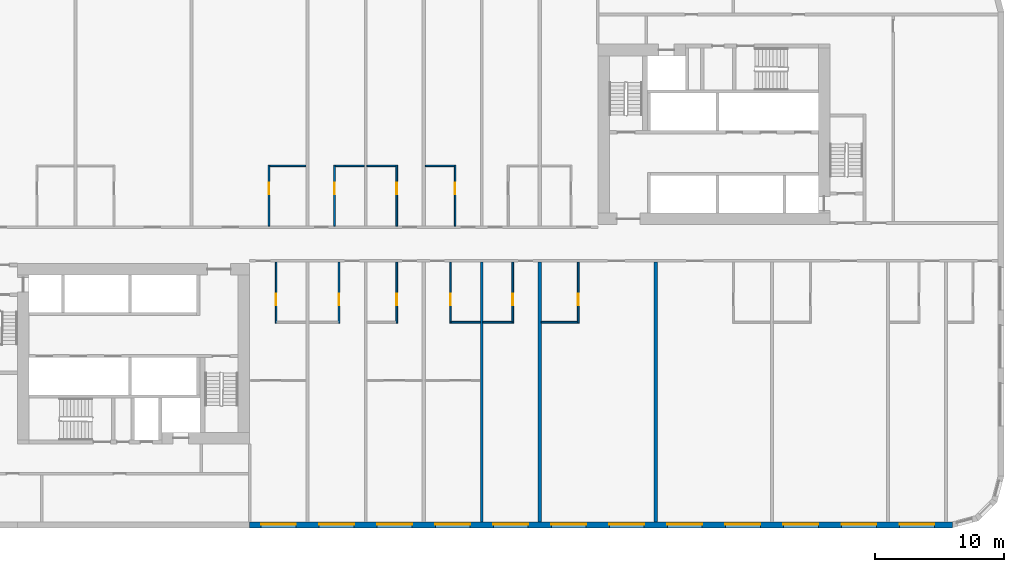
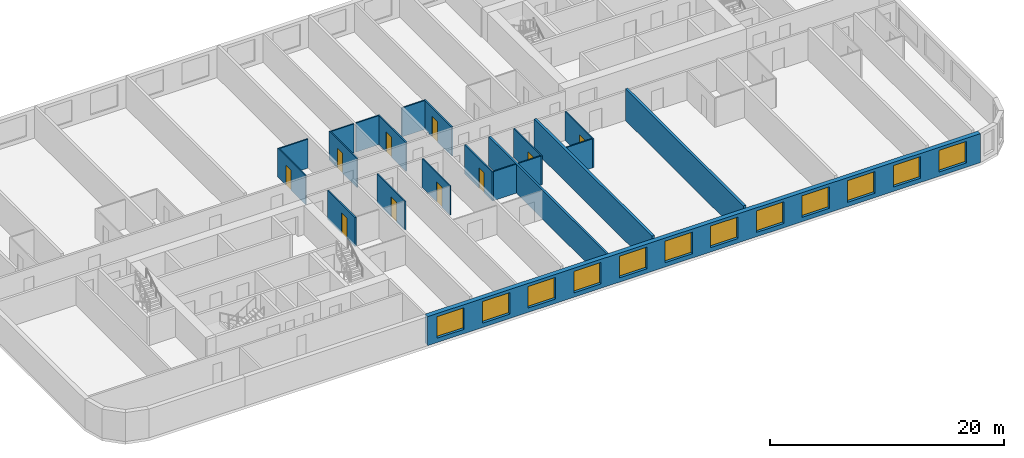
# One storey, part 4 of 12: 21 walls, 12 windows, 10 doors, 22 openings.
"""IFC4 building model written with IfcOpenShell, lengths in metres."""

from ifc_helpers import new_model, si_unit, direction, frame, frame_2d, origin, place, context, subcontext, project, spatial, rectangle, extrude, material, layer, layer_set, type_object, element, fill, save


model = new_model("IFC4")

# Units and contexts
model_context = context("Model", 3, precision=1e-05, world=origin(), true_north=direction((0.0, 1.0)))
body_context = subcontext(model_context, "Body", "Model", "MODEL_VIEW")
ifc_project = project(units=[si_unit("LENGTHUNIT", "METRE"), si_unit("AREAUNIT", "SQUARE_METRE"), si_unit("VOLUMEUNIT", "CUBIC_METRE"), si_unit("PLANEANGLEUNIT", "RADIAN"), si_unit("MASSUNIT", "GRAM", prefix="KILO")], contexts=[model_context])

# Site, building, storey
site_placement = place(None, origin())
site = spatial("IfcSite", under=ifc_project, at=site_placement, CompositionType="ELEMENT")
building_placement = place(site_placement, origin())
building = spatial("IfcBuilding", under=site, at=building_placement, Name="Kajstack Hotel Tower", CompositionType="ELEMENT")
storey_placement = place(building_placement, frame((0.0, 0.0, 93.0)))
storey = spatial("IfcBuildingStorey", under=building, at=storey_placement, Name="L19", CompositionType="ELEMENT", Elevation=93.0)

# Wall
ifc_material_1 = material(Name="Twin-frame gypsum board on steel studs, mineral wool", Category="steel")
ifc_layer_1 = layer(ifc_material_1, 0.199951171875)
ifc_layer_set_1 = layer_set([ifc_layer_1], Name="Demising wall 200")
wall_type_1 = type_object("IfcWallType", Name="Demising wall 200", PredefinedType="PARTITIONING", material=ifc_layer_set_1)
wall_1_placement = place(storey_placement, frame((4.5, -21.550048828125, 0.0), z_axis=(0.0, 0.0, 1.0), x_axis=(0.0, 1.0, 0.0)))
element("IfcWall", 1, at=wall_1_placement, inside=storey, type_object=wall_type_1, Name="G-wall-L19-036", PredefinedType="PARTITIONING", context=body_context, shape_type="SweptSolid", body=[
    extrude(rectangle(XDim=20.150146484375, YDim=0.199951171875, at=frame_2d((10.0751953125, 0.0))), origin(), (0.0, 0.0, 1.0), 3.02001953125),
])

# Wall, openings, windows
ifc_material_2 = material(Name="Terracotta-faced brick masonry", Category="masonry")
ifc_layer_2 = layer(ifc_material_2, 0.449951171875)
ifc_layer_set_2 = layer_set([ifc_layer_2], Name="EW-TERRA")
wall_type_2 = type_object("IfcWallType", Name="EW-TERRA", PredefinedType="SOLIDWALL", material=ifc_layer_set_2)
wall_2_placement = place(storey_placement, frame((-13.5, -21.77490234375, 0.0), z_axis=(0.0, 0.0, 1.0), x_axis=(1.0, 0.0, 0.0)))
wall_2 = element("IfcWall", 2, at=wall_2_placement, inside=storey, type_object=wall_type_2, Name="E-wall-L19-03-02", PredefinedType="SOLIDWALL", context=body_context, shape_type="SweptSolid", body=[
    extrude(rectangle(XDim=54.5, YDim=0.449951171875, at=frame_2d((27.25, 0.0))), origin(), (0.0, 0.0, 1.0), 3.02001953125),
])
opening_1_placement = place(wall_2_placement, frame((0.89990234375, 0.0, 0.449951171875)))
opening_1 = element("IfcOpeningElement", 3, at=opening_1_placement, cuts=wall_2, Name="Opening W1", PredefinedType="OPENING", context=body_context, shape_type="SweptSolid", body=[
    extrude(rectangle(XDim=2.699951171875, YDim=2.25, at=frame_2d((1.35009765625, 1.125))), frame((0.0, 0.23486328125, 0.0), z_axis=(0.0, -1.0, 0.0), x_axis=(1.0, 0.0, 0.0)), (0.0, 0.0, 1.0), 0.469970703125),
])
opening_2_placement = place(wall_2_placement, frame((5.39990234375, 0.0, 0.449951171875)))
opening_2 = element("IfcOpeningElement", 4, at=opening_2_placement, cuts=wall_2, Name="Opening W1", PredefinedType="OPENING", context=body_context, shape_type="SweptSolid", body=[
    extrude(rectangle(XDim=2.699951171875, YDim=2.25, at=frame_2d((1.35009765625, 1.125))), frame((0.0, 0.23486328125, 0.0), z_axis=(0.0, -1.0, 0.0), x_axis=(1.0, 0.0, 0.0)), (0.0, 0.0, 1.0), 0.469970703125),
])
opening_3_placement = place(wall_2_placement, frame((9.89990234375, 0.0, 0.449951171875)))
opening_3 = element("IfcOpeningElement", 5, at=opening_3_placement, cuts=wall_2, Name="Opening W1", PredefinedType="OPENING", context=body_context, shape_type="SweptSolid", body=[
    extrude(rectangle(XDim=2.699951171875, YDim=2.25, at=frame_2d((1.35009765625, 1.125))), frame((0.0, 0.23486328125, 0.0), z_axis=(0.0, -1.0, 0.0), x_axis=(1.0, 0.0, 0.0)), (0.0, 0.0, 1.0), 0.469970703125),
])
opening_4_placement = place(wall_2_placement, frame((14.39990234375, 0.0, 0.449951171875)))
opening_4 = element("IfcOpeningElement", 6, at=opening_4_placement, cuts=wall_2, Name="Opening W1", PredefinedType="OPENING", context=body_context, shape_type="SweptSolid", body=[
    extrude(rectangle(XDim=2.699951171875, YDim=2.25, at=frame_2d((1.35009765625, 1.125))), frame((0.0, 0.23486328125, 0.0), z_axis=(0.0, -1.0, 0.0), x_axis=(1.0, 0.0, 0.0)), (0.0, 0.0, 1.0), 0.469970703125),
])
opening_5_placement = place(wall_2_placement, frame((18.89990234375, 0.0, 0.449951171875)))
opening_5 = element("IfcOpeningElement", 7, at=opening_5_placement, cuts=wall_2, Name="Opening W1", PredefinedType="OPENING", context=body_context, shape_type="SweptSolid", body=[
    extrude(rectangle(XDim=2.699951171875, YDim=2.25, at=frame_2d((1.35009765625, 1.125))), frame((0.0, 0.23486328125, 0.0), z_axis=(0.0, -1.0, 0.0), x_axis=(1.0, 0.0, 0.0)), (0.0, 0.0, 1.0), 0.469970703125),
])
opening_6_placement = place(wall_2_placement, frame((23.39990234375, 0.0, 0.449951171875)))
opening_6 = element("IfcOpeningElement", 8, at=opening_6_placement, cuts=wall_2, Name="Opening W1", PredefinedType="OPENING", context=body_context, shape_type="SweptSolid", body=[
    extrude(rectangle(XDim=2.699951171875, YDim=2.25, at=frame_2d((1.35009765625, 1.125))), frame((0.0, 0.23486328125, 0.0), z_axis=(0.0, -1.0, 0.0), x_axis=(1.0, 0.0, 0.0)), (0.0, 0.0, 1.0), 0.469970703125),
])
opening_7_placement = place(wall_2_placement, frame((27.89990234375, 0.0, 0.449951171875)))
opening_7 = element("IfcOpeningElement", 9, at=opening_7_placement, cuts=wall_2, Name="Opening W1", PredefinedType="OPENING", context=body_context, shape_type="SweptSolid", body=[
    extrude(rectangle(XDim=2.699951171875, YDim=2.25, at=frame_2d((1.35009765625, 1.125))), frame((0.0, 0.23486328125, 0.0), z_axis=(0.0, -1.0, 0.0), x_axis=(1.0, 0.0, 0.0)), (0.0, 0.0, 1.0), 0.469970703125),
])
opening_8_placement = place(wall_2_placement, frame((32.39990234375, 0.0, 0.449951171875)))
opening_8 = element("IfcOpeningElement", 10, at=opening_8_placement, cuts=wall_2, Name="Opening W1", PredefinedType="OPENING", context=body_context, shape_type="SweptSolid", body=[
    extrude(rectangle(XDim=2.699951171875, YDim=2.25, at=frame_2d((1.35009765625, 1.125))), frame((0.0, 0.23486328125, 0.0), z_axis=(0.0, -1.0, 0.0), x_axis=(1.0, 0.0, 0.0)), (0.0, 0.0, 1.0), 0.469970703125),
])
opening_9_placement = place(wall_2_placement, frame((36.89990234375, 0.0, 0.449951171875)))
opening_9 = element("IfcOpeningElement", 11, at=opening_9_placement, cuts=wall_2, Name="Opening W1", PredefinedType="OPENING", context=body_context, shape_type="SweptSolid", body=[
    extrude(rectangle(XDim=2.699951171875, YDim=2.25, at=frame_2d((1.35009765625, 1.125))), frame((0.0, 0.23486328125, 0.0), z_axis=(0.0, -1.0, 0.0), x_axis=(1.0, 0.0, 0.0)), (0.0, 0.0, 1.0), 0.469970703125),
])
opening_10_placement = place(wall_2_placement, frame((41.39990234375, 0.0, 0.449951171875)))
opening_10 = element("IfcOpeningElement", 12, at=opening_10_placement, cuts=wall_2, Name="Opening W1", PredefinedType="OPENING", context=body_context, shape_type="SweptSolid", body=[
    extrude(rectangle(XDim=2.699951171875, YDim=2.25, at=frame_2d((1.35009765625, 1.125))), frame((0.0, 0.23486328125, 0.0), z_axis=(0.0, -1.0, 0.0), x_axis=(1.0, 0.0, 0.0)), (0.0, 0.0, 1.0), 0.469970703125),
])
opening_11_placement = place(wall_2_placement, frame((45.89990234375, 0.0, 0.449951171875)))
opening_11 = element("IfcOpeningElement", 13, at=opening_11_placement, cuts=wall_2, Name="Opening W1", PredefinedType="OPENING", context=body_context, shape_type="SweptSolid", body=[
    extrude(rectangle(XDim=2.699951171875, YDim=2.25, at=frame_2d((1.35009765625, 1.125))), frame((0.0, 0.23486328125, 0.0), z_axis=(0.0, -1.0, 0.0), x_axis=(1.0, 0.0, 0.0)), (0.0, 0.0, 1.0), 0.469970703125),
])
opening_12_placement = place(wall_2_placement, frame((50.39990234375, 0.0, 0.449951171875)))
opening_12 = element("IfcOpeningElement", 14, at=opening_12_placement, cuts=wall_2, Name="Opening W1", PredefinedType="OPENING", context=body_context, shape_type="SweptSolid", body=[
    extrude(rectangle(XDim=2.699951171875, YDim=2.25, at=frame_2d((1.35009765625, 1.125))), frame((0.0, 0.23486328125, 0.0), z_axis=(0.0, -1.0, 0.0), x_axis=(1.0, 0.0, 0.0)), (0.0, 0.0, 1.0), 0.469970703125),
])
ifc_material_3 = material(Name="Timber-aluminium window, triple glazed", Category="wood")
window_type = type_object("IfcWindowType", Name="WG1", PartitioningType="SINGLE_PANEL", PredefinedType="WINDOW", material=ifc_material_3)
window_1_placement = place(opening_1_placement, origin())
window_1 = element("IfcWindow", 15, at=window_1_placement, inside=storey, type_object=window_type, Name="Window W1 L19-03", OverallHeight=2.25, OverallWidth=2.699951171875, PartitioningType="SINGLE_PANEL", PredefinedType="WINDOW", context=body_context, shape_type="SweptSolid", body=[
    extrude(rectangle(XDim=2.699951171875, YDim=2.25, at=frame_2d((1.35009765625, 1.125))), frame((0.0, 0.090087890625, 0.0), z_axis=(0.0, -1.0, 0.0), x_axis=(1.0, 0.0, 0.0)), (0.0, 0.0, 1.0), 0.06005859375),
])
fill(opening_1, window_1)
window_2_placement = place(opening_2_placement, origin())
window_2 = element("IfcWindow", 16, at=window_2_placement, inside=storey, type_object=window_type, Name="Window W1 L19-03", OverallHeight=2.25, OverallWidth=2.699951171875, PartitioningType="SINGLE_PANEL", PredefinedType="WINDOW", context=body_context, shape_type="SweptSolid", body=[
    extrude(rectangle(XDim=2.699951171875, YDim=2.25, at=frame_2d((1.35009765625, 1.125))), frame((0.0, 0.090087890625, 0.0), z_axis=(0.0, -1.0, 0.0), x_axis=(1.0, 0.0, 0.0)), (0.0, 0.0, 1.0), 0.06005859375),
])
fill(opening_2, window_2)
window_3_placement = place(opening_3_placement, origin())
window_3 = element("IfcWindow", 17, at=window_3_placement, inside=storey, type_object=window_type, Name="Window W1 L19-03", OverallHeight=2.25, OverallWidth=2.699951171875, PartitioningType="SINGLE_PANEL", PredefinedType="WINDOW", context=body_context, shape_type="SweptSolid", body=[
    extrude(rectangle(XDim=2.699951171875, YDim=2.25, at=frame_2d((1.35009765625, 1.125))), frame((0.0, 0.090087890625, 0.0), z_axis=(0.0, -1.0, 0.0), x_axis=(1.0, 0.0, 0.0)), (0.0, 0.0, 1.0), 0.06005859375),
])
fill(opening_3, window_3)
window_4_placement = place(opening_4_placement, origin())
window_4 = element("IfcWindow", 18, at=window_4_placement, inside=storey, type_object=window_type, Name="Window W1 L19-03", OverallHeight=2.25, OverallWidth=2.699951171875, PartitioningType="SINGLE_PANEL", PredefinedType="WINDOW", context=body_context, shape_type="SweptSolid", body=[
    extrude(rectangle(XDim=2.699951171875, YDim=2.25, at=frame_2d((1.35009765625, 1.125))), frame((0.0, 0.090087890625, 0.0), z_axis=(0.0, -1.0, 0.0), x_axis=(1.0, 0.0, 0.0)), (0.0, 0.0, 1.0), 0.06005859375),
])
fill(opening_4, window_4)
window_5_placement = place(opening_5_placement, origin())
window_5 = element("IfcWindow", 19, at=window_5_placement, inside=storey, type_object=window_type, Name="Window W1 L19-03", OverallHeight=2.25, OverallWidth=2.699951171875, PartitioningType="SINGLE_PANEL", PredefinedType="WINDOW", context=body_context, shape_type="SweptSolid", body=[
    extrude(rectangle(XDim=2.699951171875, YDim=2.25, at=frame_2d((1.35009765625, 1.125))), frame((0.0, 0.090087890625, 0.0), z_axis=(0.0, -1.0, 0.0), x_axis=(1.0, 0.0, 0.0)), (0.0, 0.0, 1.0), 0.06005859375),
])
fill(opening_5, window_5)
window_6_placement = place(opening_6_placement, origin())
window_6 = element("IfcWindow", 20, at=window_6_placement, inside=storey, type_object=window_type, Name="Window W1 L19-03", OverallHeight=2.25, OverallWidth=2.699951171875, PartitioningType="SINGLE_PANEL", PredefinedType="WINDOW", context=body_context, shape_type="SweptSolid", body=[
    extrude(rectangle(XDim=2.699951171875, YDim=2.25, at=frame_2d((1.35009765625, 1.125))), frame((0.0, 0.090087890625, 0.0), z_axis=(0.0, -1.0, 0.0), x_axis=(1.0, 0.0, 0.0)), (0.0, 0.0, 1.0), 0.06005859375),
])
fill(opening_6, window_6)
window_7_placement = place(opening_7_placement, origin())
window_7 = element("IfcWindow", 21, at=window_7_placement, inside=storey, type_object=window_type, Name="Window W1 L19-03", OverallHeight=2.25, OverallWidth=2.699951171875, PartitioningType="SINGLE_PANEL", PredefinedType="WINDOW", context=body_context, shape_type="SweptSolid", body=[
    extrude(rectangle(XDim=2.699951171875, YDim=2.25, at=frame_2d((1.35009765625, 1.125))), frame((0.0, 0.090087890625, 0.0), z_axis=(0.0, -1.0, 0.0), x_axis=(1.0, 0.0, 0.0)), (0.0, 0.0, 1.0), 0.06005859375),
])
fill(opening_7, window_7)
window_8_placement = place(opening_8_placement, origin())
window_8 = element("IfcWindow", 22, at=window_8_placement, inside=storey, type_object=window_type, Name="Window W1 L19-03", OverallHeight=2.25, OverallWidth=2.699951171875, PartitioningType="SINGLE_PANEL", PredefinedType="WINDOW", context=body_context, shape_type="SweptSolid", body=[
    extrude(rectangle(XDim=2.699951171875, YDim=2.25, at=frame_2d((1.35009765625, 1.125))), frame((0.0, 0.090087890625, 0.0), z_axis=(0.0, -1.0, 0.0), x_axis=(1.0, 0.0, 0.0)), (0.0, 0.0, 1.0), 0.06005859375),
])
fill(opening_8, window_8)
window_9_placement = place(opening_9_placement, origin())
window_9 = element("IfcWindow", 23, at=window_9_placement, inside=storey, type_object=window_type, Name="Window W1 L19-03", OverallHeight=2.25, OverallWidth=2.699951171875, PartitioningType="SINGLE_PANEL", PredefinedType="WINDOW", context=body_context, shape_type="SweptSolid", body=[
    extrude(rectangle(XDim=2.699951171875, YDim=2.25, at=frame_2d((1.35009765625, 1.125))), frame((0.0, 0.090087890625, 0.0), z_axis=(0.0, -1.0, 0.0), x_axis=(1.0, 0.0, 0.0)), (0.0, 0.0, 1.0), 0.06005859375),
])
fill(opening_9, window_9)
window_10_placement = place(opening_10_placement, origin())
window_10 = element("IfcWindow", 24, at=window_10_placement, inside=storey, type_object=window_type, Name="Window W1 L19-03", OverallHeight=2.25, OverallWidth=2.699951171875, PartitioningType="SINGLE_PANEL", PredefinedType="WINDOW", context=body_context, shape_type="SweptSolid", body=[
    extrude(rectangle(XDim=2.699951171875, YDim=2.25, at=frame_2d((1.35009765625, 1.125))), frame((0.0, 0.090087890625, 0.0), z_axis=(0.0, -1.0, 0.0), x_axis=(1.0, 0.0, 0.0)), (0.0, 0.0, 1.0), 0.06005859375),
])
fill(opening_10, window_10)
window_11_placement = place(opening_11_placement, origin())
window_11 = element("IfcWindow", 25, at=window_11_placement, inside=storey, type_object=window_type, Name="Window W1 L19-03", OverallHeight=2.25, OverallWidth=2.699951171875, PartitioningType="SINGLE_PANEL", PredefinedType="WINDOW", context=body_context, shape_type="SweptSolid", body=[
    extrude(rectangle(XDim=2.699951171875, YDim=2.25, at=frame_2d((1.35009765625, 1.125))), frame((0.0, 0.090087890625, 0.0), z_axis=(0.0, -1.0, 0.0), x_axis=(1.0, 0.0, 0.0)), (0.0, 0.0, 1.0), 0.06005859375),
])
fill(opening_11, window_11)
window_12_placement = place(opening_12_placement, origin())
window_12 = element("IfcWindow", 26, at=window_12_placement, inside=storey, type_object=window_type, Name="Window W1 L19-03", OverallHeight=2.25, OverallWidth=2.699951171875, PartitioningType="SINGLE_PANEL", PredefinedType="WINDOW", context=body_context, shape_type="SweptSolid", body=[
    extrude(rectangle(XDim=2.699951171875, YDim=2.25, at=frame_2d((1.35009765625, 1.125))), frame((0.0, 0.090087890625, 0.0), z_axis=(0.0, -1.0, 0.0), x_axis=(1.0, 0.0, 0.0)), (0.0, 0.0, 1.0), 0.06005859375),
])
fill(opening_12, window_12)

# Wall, opening, door
ifc_material_4 = material(Name="Gypsum board and tiled backer on steel studs", Category="steel")
ifc_layer_3 = layer(ifc_material_4, 0.125)
ifc_layer_set_3 = layer_set([ifc_layer_3], Name="En-suite wall 125")
wall_type_3 = type_object("IfcWallType", Name="En-suite wall 125", PredefinedType="PARTITIONING", material=ifc_layer_set_3)
wall_3_placement = place(storey_placement, frame((-11.988037109375, 1.39990234375, 0.0), z_axis=(0.0, 0.0, 1.0), x_axis=(0.0, 1.0, 0.0)))
wall_3 = element("IfcWall", 27, at=wall_3_placement, inside=storey, type_object=wall_type_3, Name="G-wall-L19-012", PredefinedType="PARTITIONING", context=body_context, shape_type="SweptSolid", body=[
    extrude(rectangle(XDim=4.72509765625, YDim=0.125, at=frame_2d((2.362548828125, 0.0))), origin(), (0.0, 0.0, 1.0), 3.02001953125),
])
opening_13_placement = place(wall_3_placement, frame((2.449951171875, 0.0, 0.0)))
opening_13 = element("IfcOpeningElement", 28, at=opening_13_placement, cuts=wall_3, Name="Opening 19010", PredefinedType="OPENING", context=body_context, shape_type="SweptSolid", body=[
    extrude(rectangle(XDim=0.89990234375, YDim=2.10009765625, at=frame_2d((0.449951171875, 1.050048828125))), frame((0.0, 0.072509765625, 0.0), z_axis=(0.0, -1.0, 0.0), x_axis=(1.0, 0.0, 0.0)), (0.0, 0.0, 1.0), 0.14501953125),
])
ifc_material_5 = material(Name="Painted timber door leaf", Category="wood")
door_type = type_object("IfcDoorType", Name="Room door 900", OperationType="SINGLE_SWING_LEFT", PredefinedType="DOOR", material=ifc_material_5)
door_1_placement = place(opening_13_placement, origin())
door_1 = element("IfcDoor", 29, at=door_1_placement, inside=storey, type_object=door_type, Name="G-door-L19-10", OperationType="SINGLE_SWING_LEFT", OverallHeight=2.10009765625, OverallWidth=0.89990234375, PredefinedType="DOOR", context=body_context, shape_type="SweptSolid", body=[
    extrude(rectangle(XDim=0.89990234375, YDim=2.10009765625, at=frame_2d((0.449951171875, 1.050048828125))), frame((0.0, 0.02490234375, 0.0), z_axis=(0.0, -1.0, 0.0), x_axis=(1.0, 0.0, 0.0)), (0.0, 0.0, 1.0), 0.050048828125),
])
fill(opening_13, door_1)

# Wall
wall_4_placement = place(storey_placement, frame((-11.925048828125, 6.06201171875, 0.0), z_axis=(0.0, 0.0, 1.0), x_axis=(1.0, 0.0, 0.0)))
element("IfcWall", 30, at=wall_4_placement, inside=storey, type_object=wall_type_3, Name="G-wall-L19-013", PredefinedType="PARTITIONING", context=body_context, shape_type="SweptSolid", body=[
    extrude(rectangle(XDim=2.800048828125, YDim=0.125, at=frame_2d((1.39990234375, 0.0))), origin(), (0.0, 0.0, 1.0), 3.02001953125),
])

# Wall, opening, door
wall_5_placement = place(storey_placement, frame((-6.912109375, 1.39990234375, 0.0), z_axis=(0.0, 0.0, 1.0), x_axis=(0.0, 1.0, 0.0)))
wall_5 = element("IfcWall", 31, at=wall_5_placement, inside=storey, type_object=wall_type_3, Name="G-wall-L19-015", PredefinedType="PARTITIONING", context=body_context, shape_type="SweptSolid", body=[
    extrude(rectangle(XDim=4.72509765625, YDim=0.125, at=frame_2d((2.362548828125, 0.0))), origin(), (0.0, 0.0, 1.0), 3.02001953125),
])
opening_14_placement = place(wall_5_placement, frame((2.449951171875, 0.0, 0.0)))
opening_14 = element("IfcOpeningElement", 32, at=opening_14_placement, cuts=wall_5, Name="Opening 19012", PredefinedType="OPENING", context=body_context, shape_type="SweptSolid", body=[
    extrude(rectangle(XDim=0.89990234375, YDim=2.10009765625, at=frame_2d((0.449951171875, 1.050048828125))), frame((0.0, 0.072509765625, 0.0), z_axis=(0.0, -1.0, 0.0), x_axis=(1.0, 0.0, 0.0)), (0.0, 0.0, 1.0), 0.14501953125),
])
door_2_placement = place(opening_14_placement, origin())
door_2 = element("IfcDoor", 33, at=door_2_placement, inside=storey, type_object=door_type, Name="G-door-L19-12", OperationType="SINGLE_SWING_LEFT", OverallHeight=2.10009765625, OverallWidth=0.89990234375, PredefinedType="DOOR", context=body_context, shape_type="SweptSolid", body=[
    extrude(rectangle(XDim=0.89990234375, YDim=2.10009765625, at=frame_2d((0.449951171875, 1.050048828125))), frame((0.0, 0.02490234375, 0.0), z_axis=(0.0, -1.0, 0.0), x_axis=(1.0, 0.0, 0.0)), (0.0, 0.0, 1.0), 0.050048828125),
])
fill(opening_14, door_2)

# Wall
wall_6_placement = place(storey_placement, frame((-6.85009765625, 6.06201171875, 0.0), z_axis=(0.0, 0.0, 1.0), x_axis=(1.0, 0.0, 0.0)))
element("IfcWall", 34, at=wall_6_placement, inside=storey, type_object=wall_type_3, Name="G-wall-L19-016", PredefinedType="PARTITIONING", context=body_context, shape_type="SweptSolid", body=[
    extrude(rectangle(XDim=2.25, YDim=0.125, at=frame_2d((1.125, 0.0))), origin(), (0.0, 0.0, 1.0), 3.02001953125),
])

# Wall, opening, door
wall_7_placement = place(storey_placement, frame((-2.0869140625, 1.39990234375, 0.0), z_axis=(0.0, 0.0, 1.0), x_axis=(0.0, 1.0, 0.0)))
wall_7 = element("IfcWall", 35, at=wall_7_placement, inside=storey, type_object=wall_type_3, Name="G-wall-L19-017", PredefinedType="PARTITIONING", context=body_context, shape_type="SweptSolid", body=[
    extrude(rectangle(XDim=4.72509765625, YDim=0.125, at=frame_2d((2.362548828125, 0.0))), origin(), (0.0, 0.0, 1.0), 3.02001953125),
])
opening_15_placement = place(wall_7_placement, frame((2.449951171875, 0.0, 0.0)))
opening_15 = element("IfcOpeningElement", 36, at=opening_15_placement, cuts=wall_7, Name="Opening 19014", PredefinedType="OPENING", context=body_context, shape_type="SweptSolid", body=[
    extrude(rectangle(XDim=0.89990234375, YDim=2.10009765625, at=frame_2d((0.449951171875, 1.050048828125))), frame((0.0, 0.072509765625, 0.0), z_axis=(0.0, -1.0, 0.0), x_axis=(1.0, 0.0, 0.0)), (0.0, 0.0, 1.0), 0.14501953125),
])
door_3_placement = place(opening_15_placement, origin())
door_3 = element("IfcDoor", 37, at=door_3_placement, inside=storey, type_object=door_type, Name="G-door-L19-14", OperationType="SINGLE_SWING_RIGHT", OverallHeight=2.10009765625, OverallWidth=0.89990234375, PredefinedType="DOOR", context=body_context, shape_type="SweptSolid", body=[
    extrude(rectangle(XDim=0.89990234375, YDim=2.10009765625, at=frame_2d((0.449951171875, 1.050048828125))), frame((0.0, 0.02490234375, 0.0), z_axis=(0.0, -1.0, 0.0), x_axis=(1.0, 0.0, 0.0)), (0.0, 0.0, 1.0), 0.050048828125),
])
fill(opening_15, door_3)

# Wall
wall_8_placement = place(storey_placement, frame((-4.39990234375, 6.06201171875, 0.0), z_axis=(0.0, 0.0, 1.0), x_axis=(1.0, 0.0, 0.0)))
element("IfcWall", 38, at=wall_8_placement, inside=storey, type_object=wall_type_3, Name="G-wall-L19-018", PredefinedType="PARTITIONING", context=body_context, shape_type="SweptSolid", body=[
    extrude(rectangle(XDim=2.25, YDim=0.125, at=frame_2d((1.125, 0.0))), origin(), (0.0, 0.0, 1.0), 3.02001953125),
])

# Wall, opening, door
wall_9_placement = place(storey_placement, frame((2.43798828125, 1.39990234375, 0.0), z_axis=(0.0, 0.0, 1.0), x_axis=(0.0, 1.0, 0.0)))
wall_9 = element("IfcWall", 39, at=wall_9_placement, inside=storey, type_object=wall_type_3, Name="G-wall-L19-020", PredefinedType="PARTITIONING", context=body_context, shape_type="SweptSolid", body=[
    extrude(rectangle(XDim=4.72509765625, YDim=0.125, at=frame_2d((2.362548828125, 0.0))), origin(), (0.0, 0.0, 1.0), 3.02001953125),
])
opening_16_placement = place(wall_9_placement, frame((2.449951171875, 0.0, 0.0)))
opening_16 = element("IfcOpeningElement", 40, at=opening_16_placement, cuts=wall_9, Name="Opening 19016", PredefinedType="OPENING", context=body_context, shape_type="SweptSolid", body=[
    extrude(rectangle(XDim=0.89990234375, YDim=2.10009765625, at=frame_2d((0.449951171875, 1.050048828125))), frame((0.0, 0.072509765625, 0.0), z_axis=(0.0, -1.0, 0.0), x_axis=(1.0, 0.0, 0.0)), (0.0, 0.0, 1.0), 0.14501953125),
])
door_4_placement = place(opening_16_placement, origin())
door_4 = element("IfcDoor", 41, at=door_4_placement, inside=storey, type_object=door_type, Name="G-door-L19-16", OperationType="SINGLE_SWING_LEFT", OverallHeight=2.10009765625, OverallWidth=0.89990234375, PredefinedType="DOOR", context=body_context, shape_type="SweptSolid", body=[
    extrude(rectangle(XDim=0.89990234375, YDim=2.10009765625, at=frame_2d((0.449951171875, 1.050048828125))), frame((0.0, 0.02490234375, 0.0), z_axis=(0.0, -1.0, 0.0), x_axis=(1.0, 0.0, 0.0)), (0.0, 0.0, 1.0), 0.050048828125),
])
fill(opening_16, door_4)

# Wall
wall_10_placement = place(storey_placement, frame((0.125, 6.06201171875, 0.0), z_axis=(0.0, 0.0, 1.0), x_axis=(1.0, 0.0, 0.0)))
element("IfcWall", 42, at=wall_10_placement, inside=storey, type_object=wall_type_3, Name="G-wall-L19-021", PredefinedType="PARTITIONING", context=body_context, shape_type="SweptSolid", body=[
    extrude(rectangle(XDim=2.25, YDim=0.125, at=frame_2d((1.125, 0.0))), origin(), (0.0, 0.0, 1.0), 3.02001953125),
])

# Wall, opening, door
wall_11_placement = place(storey_placement, frame((-11.43798828125, -6.125, 0.0), z_axis=(0.0, 0.0, 1.0), x_axis=(0.0, 1.0, 0.0)))
wall_11 = element("IfcWall", 43, at=wall_11_placement, inside=storey, type_object=wall_type_3, Name="G-wall-L19-027", PredefinedType="PARTITIONING", context=body_context, shape_type="SweptSolid", body=[
    extrude(rectangle(XDim=4.72509765625, YDim=0.125, at=frame_2d((2.362548828125, 0.0))), origin(), (0.0, 0.0, 1.0), 3.02001953125),
])
opening_17_placement = place(wall_11_placement, frame((1.375, 0.0, 0.0)))
opening_17 = element("IfcOpeningElement", 44, at=opening_17_placement, cuts=wall_11, Name="Opening 19022", PredefinedType="OPENING", context=body_context, shape_type="SweptSolid", body=[
    extrude(rectangle(XDim=0.89990234375, YDim=2.10009765625, at=frame_2d((0.449951171875, 1.050048828125))), frame((0.0, 0.072509765625, 0.0), z_axis=(0.0, -1.0, 0.0), x_axis=(1.0, 0.0, 0.0)), (0.0, 0.0, 1.0), 0.14501953125),
])
door_5_placement = place(opening_17_placement, origin())
door_5 = element("IfcDoor", 45, at=door_5_placement, inside=storey, type_object=door_type, Name="G-door-L19-22", OperationType="SINGLE_SWING_RIGHT", OverallHeight=2.10009765625, OverallWidth=0.89990234375, PredefinedType="DOOR", context=body_context, shape_type="SweptSolid", body=[
    extrude(rectangle(XDim=0.89990234375, YDim=2.10009765625, at=frame_2d((0.449951171875, 1.050048828125))), frame((0.0, 0.02490234375, 0.0), z_axis=(0.0, -1.0, 0.0), x_axis=(1.0, 0.0, 0.0)), (0.0, 0.0, 1.0), 0.050048828125),
])
fill(opening_17, door_5)

wall_12_placement = place(storey_placement, frame((-6.56201171875, -6.125, 0.0), z_axis=(0.0, 0.0, 1.0), x_axis=(0.0, 1.0, 0.0)))
wall_12 = element("IfcWall", 46, at=wall_12_placement, inside=storey, type_object=wall_type_3, Name="G-wall-L19-031", PredefinedType="PARTITIONING", context=body_context, shape_type="SweptSolid", body=[
    extrude(rectangle(XDim=4.72509765625, YDim=0.125, at=frame_2d((2.362548828125, 0.0))), origin(), (0.0, 0.0, 1.0), 3.02001953125),
])
opening_18_placement = place(wall_12_placement, frame((1.375, 0.0, 0.0)))
opening_18 = element("IfcOpeningElement", 47, at=opening_18_placement, cuts=wall_12, Name="Opening 19025", PredefinedType="OPENING", context=body_context, shape_type="SweptSolid", body=[
    extrude(rectangle(XDim=0.89990234375, YDim=2.10009765625, at=frame_2d((0.449951171875, 1.050048828125))), frame((0.0, 0.072509765625, 0.0), z_axis=(0.0, -1.0, 0.0), x_axis=(1.0, 0.0, 0.0)), (0.0, 0.0, 1.0), 0.14501953125),
])
door_6_placement = place(opening_18_placement, origin())
door_6 = element("IfcDoor", 48, at=door_6_placement, inside=storey, type_object=door_type, Name="G-door-L19-25", OperationType="SINGLE_SWING_LEFT", OverallHeight=2.10009765625, OverallWidth=0.89990234375, PredefinedType="DOOR", context=body_context, shape_type="SweptSolid", body=[
    extrude(rectangle(XDim=0.89990234375, YDim=2.10009765625, at=frame_2d((0.449951171875, 1.050048828125))), frame((0.0, 0.02490234375, 0.0), z_axis=(0.0, -1.0, 0.0), x_axis=(1.0, 0.0, 0.0)), (0.0, 0.0, 1.0), 0.050048828125),
])
fill(opening_18, door_6)

wall_13_placement = place(storey_placement, frame((-2.0869140625, -6.125, 0.0), z_axis=(0.0, 0.0, 1.0), x_axis=(0.0, 1.0, 0.0)))
wall_13 = element("IfcWall", 49, at=wall_13_placement, inside=storey, type_object=wall_type_3, Name="G-wall-L19-033", PredefinedType="PARTITIONING", context=body_context, shape_type="SweptSolid", body=[
    extrude(rectangle(XDim=4.72509765625, YDim=0.125, at=frame_2d((2.362548828125, 0.0))), origin(), (0.0, 0.0, 1.0), 3.02001953125),
])
opening_19_placement = place(wall_13_placement, frame((1.375, 0.0, 0.0)))
opening_19 = element("IfcOpeningElement", 50, at=opening_19_placement, cuts=wall_13, Name="Opening 19027", PredefinedType="OPENING", context=body_context, shape_type="SweptSolid", body=[
    extrude(rectangle(XDim=0.89990234375, YDim=2.10009765625, at=frame_2d((0.449951171875, 1.050048828125))), frame((0.0, 0.072509765625, 0.0), z_axis=(0.0, -1.0, 0.0), x_axis=(1.0, 0.0, 0.0)), (0.0, 0.0, 1.0), 0.14501953125),
])
door_7_placement = place(opening_19_placement, origin())
door_7 = element("IfcDoor", 51, at=door_7_placement, inside=storey, type_object=door_type, Name="G-door-L19-27", OperationType="SINGLE_SWING_LEFT", OverallHeight=2.10009765625, OverallWidth=0.89990234375, PredefinedType="DOOR", context=body_context, shape_type="SweptSolid", body=[
    extrude(rectangle(XDim=0.89990234375, YDim=2.10009765625, at=frame_2d((0.449951171875, 1.050048828125))), frame((0.0, 0.02490234375, 0.0), z_axis=(0.0, -1.0, 0.0), x_axis=(1.0, 0.0, 0.0)), (0.0, 0.0, 1.0), 0.050048828125),
])
fill(opening_19, door_7)

wall_14_placement = place(storey_placement, frame((2.0869140625, -6.125, 0.0), z_axis=(0.0, 0.0, 1.0), x_axis=(0.0, 1.0, 0.0)))
wall_14 = element("IfcWall", 52, at=wall_14_placement, inside=storey, type_object=wall_type_3, Name="G-wall-L19-037", PredefinedType="PARTITIONING", context=body_context, shape_type="SweptSolid", body=[
    extrude(rectangle(XDim=4.72509765625, YDim=0.125, at=frame_2d((2.362548828125, 0.0))), origin(), (0.0, 0.0, 1.0), 3.02001953125),
])
opening_20_placement = place(wall_14_placement, frame((1.375, 0.0, 0.0)))
opening_20 = element("IfcOpeningElement", 53, at=opening_20_placement, cuts=wall_14, Name="Opening 19030", PredefinedType="OPENING", context=body_context, shape_type="SweptSolid", body=[
    extrude(rectangle(XDim=0.89990234375, YDim=2.10009765625, at=frame_2d((0.449951171875, 1.050048828125))), frame((0.0, 0.072509765625, 0.0), z_axis=(0.0, -1.0, 0.0), x_axis=(1.0, 0.0, 0.0)), (0.0, 0.0, 1.0), 0.14501953125),
])
door_8_placement = place(opening_20_placement, origin())
door_8 = element("IfcDoor", 54, at=door_8_placement, inside=storey, type_object=door_type, Name="G-door-L19-30", OperationType="SINGLE_SWING_RIGHT", OverallHeight=2.10009765625, OverallWidth=0.89990234375, PredefinedType="DOOR", context=body_context, shape_type="SweptSolid", body=[
    extrude(rectangle(XDim=0.89990234375, YDim=2.10009765625, at=frame_2d((0.449951171875, 1.050048828125))), frame((0.0, 0.02490234375, 0.0), z_axis=(0.0, -1.0, 0.0), x_axis=(1.0, 0.0, 0.0)), (0.0, 0.0, 1.0), 0.050048828125),
])
fill(opening_20, door_8)

# Wall
wall_15_placement = place(storey_placement, frame((2.14990234375, -6.06201171875, 0.0), z_axis=(0.0, 0.0, 1.0), x_axis=(1.0, 0.0, 0.0)))
element("IfcWall", 55, at=wall_15_placement, inside=storey, type_object=wall_type_3, Name="G-wall-L19-038", PredefinedType="PARTITIONING", context=body_context, shape_type="SweptSolid", body=[
    extrude(rectangle(XDim=2.25, YDim=0.125, at=frame_2d((1.125, 0.0))), origin(), (0.0, 0.0, 1.0), 3.02001953125),
])

# Wall, opening, door
wall_16_placement = place(storey_placement, frame((6.912109375, -6.125, 0.0), z_axis=(0.0, 0.0, 1.0), x_axis=(0.0, 1.0, 0.0)))
wall_16 = element("IfcWall", 56, at=wall_16_placement, inside=storey, type_object=wall_type_3, Name="G-wall-L19-040", PredefinedType="PARTITIONING", context=body_context, shape_type="SweptSolid", body=[
    extrude(rectangle(XDim=4.72509765625, YDim=0.125, at=frame_2d((2.362548828125, 0.0))), origin(), (0.0, 0.0, 1.0), 3.02001953125),
])
opening_21_placement = place(wall_16_placement, frame((1.375, 0.0, 0.0)))
opening_21 = element("IfcOpeningElement", 57, at=opening_21_placement, cuts=wall_16, Name="Opening 19033", PredefinedType="OPENING", context=body_context, shape_type="SweptSolid", body=[
    extrude(rectangle(XDim=0.89990234375, YDim=2.10009765625, at=frame_2d((0.449951171875, 1.050048828125))), frame((0.0, 0.072509765625, 0.0), z_axis=(0.0, -1.0, 0.0), x_axis=(1.0, 0.0, 0.0)), (0.0, 0.0, 1.0), 0.14501953125),
])
door_9_placement = place(opening_21_placement, origin())
door_9 = element("IfcDoor", 58, at=door_9_placement, inside=storey, type_object=door_type, Name="G-door-L19-33", OperationType="SINGLE_SWING_RIGHT", OverallHeight=2.10009765625, OverallWidth=0.89990234375, PredefinedType="DOOR", context=body_context, shape_type="SweptSolid", body=[
    extrude(rectangle(XDim=0.89990234375, YDim=2.10009765625, at=frame_2d((0.449951171875, 1.050048828125))), frame((0.0, 0.02490234375, 0.0), z_axis=(0.0, -1.0, 0.0), x_axis=(1.0, 0.0, 0.0)), (0.0, 0.0, 1.0), 0.050048828125),
])
fill(opening_21, door_9)

# Wall
wall_17_placement = place(storey_placement, frame((4.60009765625, -6.06201171875, 0.0), z_axis=(0.0, 0.0, 1.0), x_axis=(1.0, 0.0, 0.0)))
element("IfcWall", 59, at=wall_17_placement, inside=storey, type_object=wall_type_3, Name="G-wall-L19-041", PredefinedType="PARTITIONING", context=body_context, shape_type="SweptSolid", body=[
    extrude(rectangle(XDim=2.25, YDim=0.125, at=frame_2d((1.125, 0.0))), origin(), (0.0, 0.0, 1.0), 3.02001953125),
])

# Wall, opening, door
wall_18_placement = place(storey_placement, frame((11.988037109375, -6.125, 0.0), z_axis=(0.0, 0.0, 1.0), x_axis=(0.0, 1.0, 0.0)))
wall_18 = element("IfcWall", 60, at=wall_18_placement, inside=storey, type_object=wall_type_3, Name="G-wall-L19-042", PredefinedType="PARTITIONING", context=body_context, shape_type="SweptSolid", body=[
    extrude(rectangle(XDim=4.72509765625, YDim=0.125, at=frame_2d((2.362548828125, 0.0))), origin(), (0.0, 0.0, 1.0), 3.02001953125),
])
opening_22_placement = place(wall_18_placement, frame((1.375, 0.0, 0.0)))
opening_22 = element("IfcOpeningElement", 61, at=opening_22_placement, cuts=wall_18, Name="Opening 19035", PredefinedType="OPENING", context=body_context, shape_type="SweptSolid", body=[
    extrude(rectangle(XDim=0.89990234375, YDim=2.10009765625, at=frame_2d((0.449951171875, 1.050048828125))), frame((0.0, 0.072509765625, 0.0), z_axis=(0.0, -1.0, 0.0), x_axis=(1.0, 0.0, 0.0)), (0.0, 0.0, 1.0), 0.14501953125),
])
door_10_placement = place(opening_22_placement, origin())
door_10 = element("IfcDoor", 62, at=door_10_placement, inside=storey, type_object=door_type, Name="G-door-L19-35", OperationType="SINGLE_SWING_RIGHT", OverallHeight=2.10009765625, OverallWidth=0.89990234375, PredefinedType="DOOR", context=body_context, shape_type="SweptSolid", body=[
    extrude(rectangle(XDim=0.89990234375, YDim=2.10009765625, at=frame_2d((0.449951171875, 1.050048828125))), frame((0.0, 0.02490234375, 0.0), z_axis=(0.0, -1.0, 0.0), x_axis=(1.0, 0.0, 0.0)), (0.0, 0.0, 1.0), 0.050048828125),
])
fill(opening_22, door_10)

# Walls
wall_19_placement = place(storey_placement, frame((9.125, -6.06201171875, 0.0), z_axis=(0.0, 0.0, 1.0), x_axis=(1.0, 0.0, 0.0)))
element("IfcWall", 63, at=wall_19_placement, inside=storey, type_object=wall_type_3, Name="G-wall-L19-043", PredefinedType="PARTITIONING", context=body_context, shape_type="SweptSolid", body=[
    extrude(rectangle(XDim=2.800048828125, YDim=0.125, at=frame_2d((1.39990234375, 0.0))), origin(), (0.0, 0.0, 1.0), 3.02001953125),
])
ifc_material_6 = material(Name="Concrete C60/75", Category="concrete")
ifc_layer_4 = layer(ifc_material_6, 0.25)
ifc_layer_set_4 = layer_set([ifc_layer_4], Name="RC cross wall 250 C60/75")
wall_type_4 = type_object("IfcWallType", Name="RC cross wall 250 C60/75", PredefinedType="SHEAR", material=ifc_layer_set_4)
for number, where, z_axis, x_axis, name in (
    (64, (9.0, -21.5400390625, 0.0), (0.0, 0.0, 1.0), (0.0, 1.0, 0.0), "S-wall-L19-09"),
    (65, (18.0, -21.5400390625, 0.0), (0.0, 0.0, 1.0), (0.0, 1.0, 0.0), "S-wall-L19-11"),
):
    element("IfcWall", number, at=place(storey_placement, frame(where, z_axis=z_axis, x_axis=x_axis)), inside=storey, type_object=wall_type_4, Name=name, PredefinedType="SHEAR", context=body_context, shape_type="SweptSolid", body=[
        extrude(rectangle(XDim=20.14013671875, YDim=0.25, at=frame_2d((10.070068359375, 0.0))), origin(), (0.0, 0.0, 1.0), 3.300048828125),
    ])

save(model, "model.ifc")
